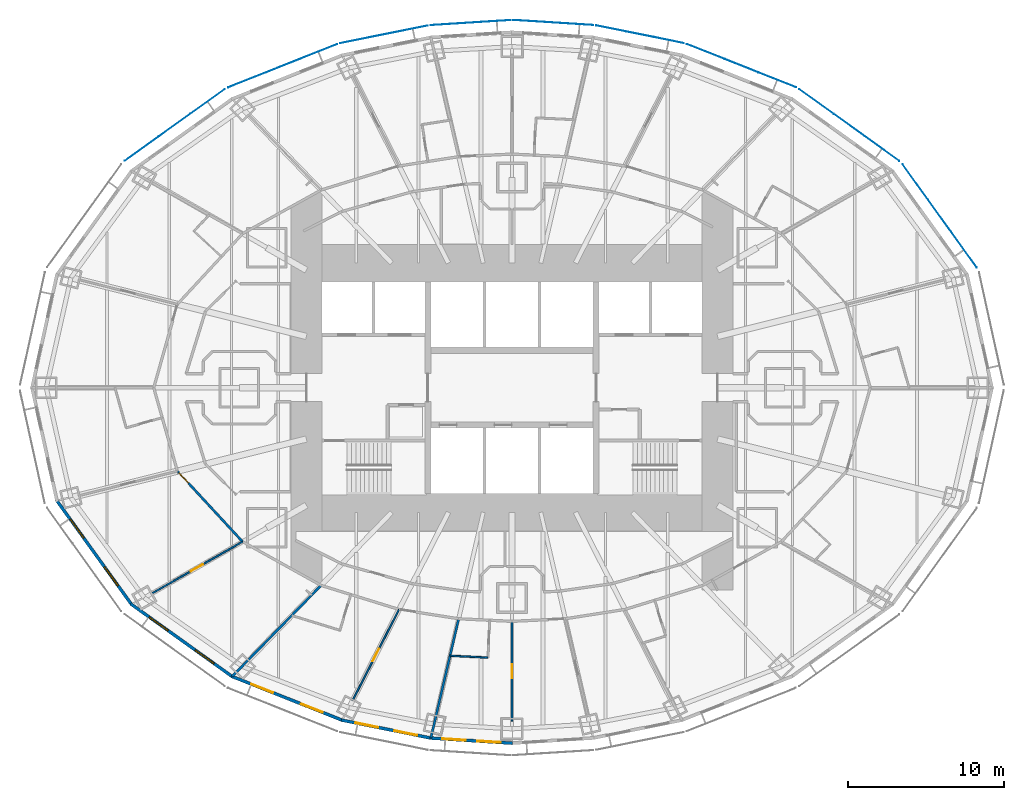
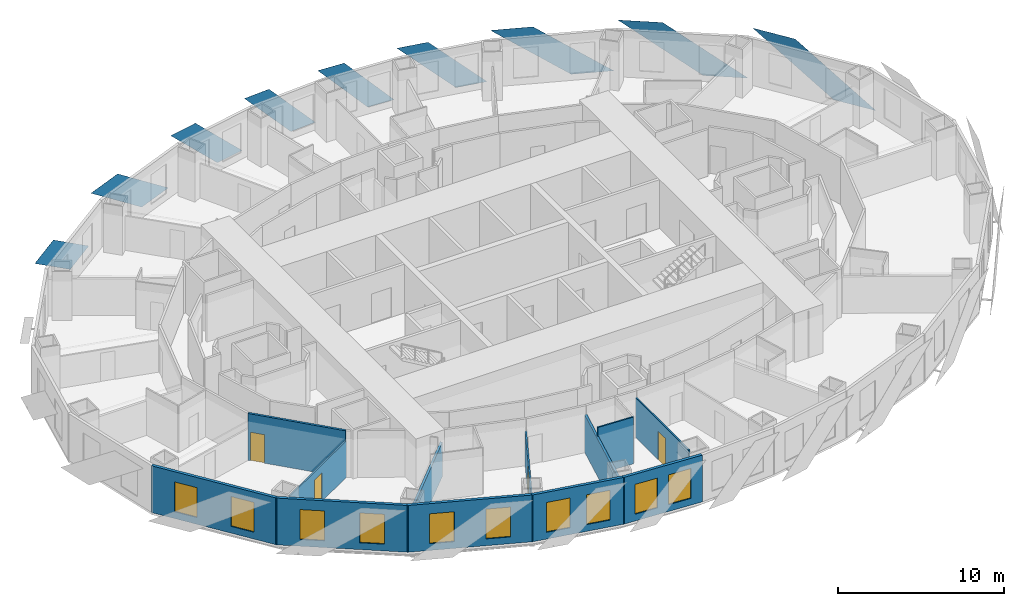
# One storey, part 4 of 15: 12 walls, 10 windows, 9 plates, 4 doors, 14 openings.
"""IFC4 building model written with IfcOpenShell, lengths in metres."""

from ifc_helpers import new_model, si_unit, direction, frame, frame_2d, origin, place, context, subcontext, project, spatial, polyline, rectangle, outline, extrude, material, layer, layer_set, type_object, element, fill, save


model = new_model("IFC4")

# Units and contexts
model_context = context("Model", 3, precision=1e-05, world=origin(), true_north=direction((0.0, 1.0)))
body_context = subcontext(model_context, "Body", "Model", "MODEL_VIEW")
ifc_project = project(units=[si_unit("LENGTHUNIT", "METRE"), si_unit("AREAUNIT", "SQUARE_METRE"), si_unit("VOLUMEUNIT", "CUBIC_METRE"), si_unit("PLANEANGLEUNIT", "RADIAN"), si_unit("MASSUNIT", "GRAM", prefix="KILO")], contexts=[model_context])

# Site, building, storey
site_placement = place(None, origin())
site = spatial("IfcSite", under=ifc_project, at=site_placement, CompositionType="ELEMENT")
building_placement = place(site_placement, origin())
building = spatial("IfcBuilding", under=site, at=building_placement, Name="Lantaw Convention Tower", CompositionType="ELEMENT")
storey_placement = place(building_placement, frame((0.0, 0.0, 94.60009765625)))
storey = spatial("IfcBuildingStorey", under=building, at=storey_placement, Name="L22", CompositionType="ELEMENT", Elevation=94.60009765625)

# Plates
ifc_material_1 = material(Name="Perforated aluminium sheet, pale silver finish", Category="aluminium")
ifc_layer_1 = layer(ifc_material_1, 0.006103515625)
ifc_layer_set_1 = layer_set([ifc_layer_1], Name="Perforated aluminium solar SCREEN panel")
plate_type = type_object("IfcPlateType", Name="Perforated aluminium solar SCREEN panel", PredefinedType="SHEET", material=ifc_layer_set_1)
plate_1_placement = place(storey_placement, frame((29.847900390625, 7.720947265625, -0.175048828125), z_axis=(0.811791382613, 0.583947558463, 9.019268e-06), x_axis=(-0.583947558486, 0.811791382646, 0.0)))
element("IfcPlate", 1, at=plate_1_placement, inside=storey, type_object=plate_type, Name="Solar SCREEN panel", PredefinedType="SHEET", context=body_context, shape_type="SweptSolid", body=[
    extrude(outline(polyline([(0.0, 0.0), (2.809541672291133, 0.0), (8.163093158837512, 3.739990234527119), (5.353551486546379, 3.739990234527119), (0.0, 0.0)])), origin(), (0.0, 0.0, -1.0), 0.006103515625),
])
plate_2_placement = place(storey_placement, frame((24.872314453125, 14.555908203125, -0.175048828125), z_axis=(0.582561421998, 0.812786681331, 1.5819417e-05), x_axis=(-0.812786681433, 0.582561422071, 0.0)))
element("IfcPlate", 2, at=plate_2_placement, inside=storey, type_object=plate_type, Name="Solar SCREEN panel", PredefinedType="SHEET", context=body_context, shape_type="SweptSolid", body=[
    extrude(outline(polyline([(0.0, 0.0), (2.721095180812288, 3.3881317890172014e-21), (7.903118572410756, 3.739990234842974), (5.182023391598468, 3.739990234842974), (0.0, 0.0)])), origin(), (0.0, 0.0, -1.0), 0.006103515625),
])
plate_3_placement = place(storey_placement, frame((18.232177734375, 19.278076171875, -0.175048828125), z_axis=(-0.369183532846, -0.929356508016, 9.163296e-06), x_axis=(-0.929356508055, 0.369183532862, 0.0)))
element("IfcPlate", 3, at=plate_3_placement, inside=storey, type_object=plate_type, Name="Solar SCREEN panel", PredefinedType="SHEET", context=body_context, shape_type="SweptSolid", body=[
    extrude(outline(polyline([(0.0, 0.0), (2.594936467166582, -1.6940658945086007e-21), (7.5321069917580825, -3.739990234532016), (4.937170524591499, -3.739990234532016), (0.0, 0.0)])), origin(), (0.0, 0.0, -1.0), 0.006103515625),
])
plate_4_placement = place(storey_placement, frame((11.03271484375, 22.117919921875, -0.175048828125), z_axis=(-0.197781876197, -0.980246055561, 2.418535e-06), x_axis=(-0.980246055563, 0.197781876198, 1.46e-10)))
element("IfcPlate", 4, at=plate_4_placement, inside=storey, type_object=plate_type, Name="Solar SCREEN panel", PredefinedType="SHEET", context=body_context, shape_type="SweptSolid", body=[
    extrude(outline(polyline([(0.0, 0.0), (1.9867801772236329, -3.1763735522036263e-22), (5.743587245978565, -3.7399902335493134), (3.7568553553458006, -3.739990234128105), (0.0, 0.0)])), origin(), (0.0, 0.0, -1.0), 0.006103515625),
])
plate_5_placement = place(storey_placement, frame((5.221923828125, 23.27783203125, -0.175048828125), z_axis=(-0.062923905251, -0.998018327468, 1.3605496e-05), x_axis=(-0.998018327561, 0.062923905257, 9.3e-10)))
element("IfcPlate", 5, at=plate_5_placement, inside=storey, type_object=plate_type, Name="Solar SCREEN panel", PredefinedType="SHEET", context=body_context, shape_type="SweptSolid", body=[
    extrude(outline(polyline([(0.0, 0.0), (1.7828375409377817, -2.117582368135751e-22), (5.143985963027618, -3.739990229938699), (3.3611637843713935, -3.7399902332537565), (0.0, 0.0)])), origin(), (0.0, 0.0, -1.0), 0.006103515625),
])
plate_6_placement = place(storey_placement, frame((-0.088134765625, 23.6015625, -0.175048828125), z_axis=(-0.062923905251, 0.998018327468, 1.3605496e-05), x_axis=(-0.998018327561, -0.062923905257, -9.3e-10)))
element("IfcPlate", 6, at=plate_6_placement, inside=storey, type_object=plate_type, Name="Solar SCREEN panel", PredefinedType="SHEET", context=body_context, shape_type="SweptSolid", body=[
    extrude(outline(polyline([(0.0, 0.0), (1.782822178656225, -2.117582368135751e-22), (5.143985956073316, 3.7399902395036517), (3.3611484151355353, 3.7399902361885653), (0.0, 0.0)])), origin(), (0.0, 0.0, -1.0), 0.006103515625),
])
plate_7_placement = place(storey_placement, frame((-5.402587890625, 23.25390625, -0.175048828125), z_axis=(-0.197781876197, 0.980246055561, 2.418535e-06), x_axis=(-0.980246055563, -0.197781876198, -1.46e-10)))
element("IfcPlate", 7, at=plate_7_placement, inside=storey, type_object=plate_type, Name="Solar SCREEN panel", PredefinedType="SHEET", context=body_context, shape_type="SweptSolid", body=[
    extrude(outline(polyline([(0.0, 0.0), (1.9867318906327642, 1.0587911840678754e-22), (5.743587244888999, 3.7399902352225842), (3.7568070676653664, 3.7399902346437783), (0.0, 0.0)])), origin(), (0.0, 0.0, -1.0), 0.006103515625),
])
plate_8_placement = place(storey_placement, frame((-11.232177734375, 22.058837890625, -0.175048828125), z_axis=(-0.369183532846, 0.929356508016, 9.163296e-06), x_axis=(-0.929356508055, -0.369183532862, 0.0)))
element("IfcPlate", 8, at=plate_8_placement, inside=storey, type_object=plate_type, Name="Solar SCREEN panel", PredefinedType="SHEET", context=body_context, shape_type="SweptSolid", body=[
    extrude(outline(polyline([(0.0, 0.0), (2.594936467166582, 1.6940658945086007e-21), (7.5321069917580825, 3.739990234532016), (4.937170524591499, 3.739990234532016), (0.0, 0.0)])), origin(), (0.0, 0.0, -1.0), 0.006103515625),
])
plate_9_placement = place(storey_placement, frame((-18.44873046875, 19.159912109375, -0.175048828125), z_axis=(0.582561421998, -0.812786681331, 1.5819417e-05), x_axis=(-0.812786681433, -0.582561422071, 0.0)))
element("IfcPlate", 9, at=plate_9_placement, inside=storey, type_object=plate_type, Name="Solar SCREEN panel", PredefinedType="SHEET", context=body_context, shape_type="SweptSolid", body=[
    extrude(outline(polyline([(0.0, 0.0), (2.721095180812288, -3.3881317890172014e-21), (7.903118572410756, -3.739990234842974), (5.182023391598468, -3.739990234842974), (0.0, 0.0)])), origin(), (0.0, 0.0, -1.0), 0.006103515625),
])

# Wall
ifc_material_2 = material(Name="Moisture resistant gypsum board on steel studs", Category="steel")
ifc_layer_2 = layer(ifc_material_2, 0.10009765625)
ifc_layer_set_2 = layer_set([ifc_layer_2], Name="Bathroom wall 100")
wall_type_1 = type_object("IfcWallType", Name="Bathroom wall 100", PredefinedType="PARTITIONING", material=ifc_layer_set_2)
wall_1_placement = place(storey_placement, frame((-1.5439453125, -17.327392578125, 0.0), z_axis=(0.0, 0.0, 1.0), x_axis=(-0.998813899717, 0.048690797202, 0.0)))
element("IfcWall", 10, at=wall_1_placement, inside=storey, type_object=wall_type_1, Name="Bathroom wall 100", PredefinedType="PARTITIONING", context=body_context, shape_type="SweptSolid", body=[
    extrude(rectangle(XDim=2.431884765625, YDim=0.10009765625, at=frame_2d((1.2158203125, 0.0))), origin(), (0.0, 0.0, 1.0), 3.449951171875),
])

# Wall, opening, door
ifc_material_3 = material(Name="Gypsum board on steel studs, fire rated", Category="steel")
ifc_layer_3 = layer(ifc_material_3, 0.14990234375)
ifc_layer_set_3 = layer_set([ifc_layer_3], Name="Corridor wall 150 EI 60")
wall_type_2 = type_object("IfcWallType", Name="Corridor wall 150 EI 60", PredefinedType="PARTITIONING", material=ifc_layer_set_3)
wall_2_placement = place(storey_placement, frame((-21.483642578125, -5.3564453125, 0.0), z_axis=(0.0, 0.0, 1.0), x_axis=(0.678641806296, -0.734469399463, 0.0)))
wall_2 = element("IfcWall", 11, at=wall_2_placement, inside=storey, type_object=wall_type_2, Name="Corridor wall 150", PredefinedType="PARTITIONING", context=body_context, shape_type="SweptSolid", body=[
    extrude(rectangle(XDim=6.166015625, YDim=0.14990234375, at=frame_2d((3.0830078125, 0.0))), origin(), (0.0, 0.0, 1.0), 3.449951171875),
])
opening_1_placement = place(wall_2_placement, frame((0.14990234375, 0.0, 0.0)))
opening_1 = element("IfcOpeningElement", 12, at=opening_1_placement, cuts=wall_2, Name="Opening L22.45", PredefinedType="OPENING", context=body_context, shape_type="SweptSolid", body=[
    extrude(rectangle(XDim=0.89990234375, YDim=2.10009765625, at=frame_2d((0.449951171875, 1.050048828125))), frame((0.0, 0.0849609375, 0.0), z_axis=(0.0, -1.0, 0.0), x_axis=(1.0, 0.0, 0.0)), (0.0, 0.0, 1.0), 0.169921875),
])
ifc_material_4 = material(Name="Steel, fire rated", Category="steel")
door_type_1 = type_object("IfcDoorType", Name="Guest room entrance door FD30S", OperationType="SINGLE_SWING_LEFT", PredefinedType="DOOR", material=ifc_material_4)
door_1_placement = place(opening_1_placement, origin())
door_1 = element("IfcDoor", 13, at=door_1_placement, inside=storey, type_object=door_type_1, Name="Suite entrance door", OperationType="SINGLE_SWING_LEFT", OverallHeight=2.10009765625, OverallWidth=0.89990234375, PredefinedType="DOOR", context=body_context, shape_type="SweptSolid", body=[
    extrude(rectangle(XDim=0.89990234375, YDim=2.10009765625, at=frame_2d((0.449951171875, 1.050048828125))), frame((0.0, 0.02490234375, 0.0), z_axis=(0.0, -1.0, 0.0), x_axis=(1.0, 0.0, 0.0)), (0.0, 0.0, 1.0), 0.050048828125),
])
fill(opening_1, door_1)

# Wall, openings, windows
ifc_material_5 = material(Name="Insulated aluminium panel on steel frame", Category="steel")
ifc_layer_4 = layer(ifc_material_5, 0.199951171875)
ifc_layer_set_4 = layer_set([ifc_layer_4], Name="External wall 200")
wall_type_3 = type_object("IfcWallType", Name="External wall 200", PredefinedType="SOLIDWALL", material=ifc_layer_set_4)
wall_3_placement = place(storey_placement, frame((-29.260498046875, -7.199951171875, 0.0), z_axis=(0.0, 0.0, 1.0), x_axis=(0.583937613703, -0.811798536155, 0.0)))
wall_3 = element("IfcWall", 14, at=wall_3_placement, inside=storey, type_object=wall_type_3, Name="Facade panel wall", PredefinedType="SOLIDWALL", context=body_context, shape_type="SweptSolid", body=[
    extrude(rectangle(XDim=8.322998046875, YDim=0.199951171875, at=frame_2d((4.16162109375, 0.0))), origin(), (0.0, 0.0, 1.0), 3.449951171875),
])
opening_2_placement = place(wall_3_placement, frame((1.53076171875, 0.0, 0.5)))
opening_2 = element("IfcOpeningElement", 15, at=opening_2_placement, cuts=wall_3, Name="Opening W2", PredefinedType="OPENING", context=body_context, shape_type="SweptSolid", body=[
    extrude(rectangle(XDim=1.5, YDim=2.199951171875, at=frame_2d((0.75, 1.10009765625))), frame((0.0, 0.10986328125, 0.0), z_axis=(0.0, -1.0, 0.0), x_axis=(1.0, 0.0, 0.0)), (0.0, 0.0, 1.0), 0.219970703125),
])
opening_3_placement = place(wall_3_placement, frame((5.292236328125, 0.0, 0.5)))
opening_3 = element("IfcOpeningElement", 16, at=opening_3_placement, cuts=wall_3, Name="Opening W2", PredefinedType="OPENING", context=body_context, shape_type="SweptSolid", body=[
    extrude(rectangle(XDim=1.5, YDim=2.199951171875, at=frame_2d((0.75, 1.10009765625))), frame((0.0, 0.10986328125, 0.0), z_axis=(0.0, -1.0, 0.0), x_axis=(1.0, 0.0, 0.0)), (0.0, 0.0, 1.0), 0.219970703125),
])
ifc_material_6 = material(Name="Aluminium frame, clear insulating glass", Category="aluminium")
window_type = type_object("IfcWindowType", Name="Suite window 1500x2200", PartitioningType="SINGLE_PANEL", PredefinedType="WINDOW", material=ifc_material_6)
window_1_placement = place(opening_2_placement, origin())
window_1 = element("IfcWindow", 17, at=window_1_placement, inside=storey, type_object=window_type, Name="Guest room window", OverallHeight=2.199951171875, OverallWidth=1.5, PartitioningType="SINGLE_PANEL", PredefinedType="WINDOW", context=body_context, shape_type="SweptSolid", body=[
    extrude(rectangle(XDim=1.5, YDim=2.199951171875, at=frame_2d((0.75, 1.10009765625))), frame((0.0, 0.030029296875, 0.0), z_axis=(0.0, -1.0, 0.0), x_axis=(1.0, 0.0, 0.0)), (0.0, 0.0, 1.0), 0.06005859375),
])
fill(opening_2, window_1)
window_2_placement = place(opening_3_placement, origin())
window_2 = element("IfcWindow", 18, at=window_2_placement, inside=storey, type_object=window_type, Name="Guest room window", OverallHeight=2.199951171875, OverallWidth=1.5, PartitioningType="SINGLE_PANEL", PredefinedType="WINDOW", context=body_context, shape_type="SweptSolid", body=[
    extrude(rectangle(XDim=1.5, YDim=2.199951171875, at=frame_2d((0.75, 1.10009765625))), frame((0.0, 0.030029296875, 0.0), z_axis=(0.0, -1.0, 0.0), x_axis=(1.0, 0.0, 0.0)), (0.0, 0.0, 1.0), 0.06005859375),
])
fill(opening_3, window_2)

wall_4_placement = place(storey_placement, frame((-24.482421875, -13.87451171875, 0.0), z_axis=(0.0, 0.0, 1.0), x_axis=(0.812791321576, -0.582554948112, 0.0)))
wall_4 = element("IfcWall", 19, at=wall_4_placement, inside=storey, type_object=wall_type_3, Name="Facade panel wall", PredefinedType="SOLIDWALL", context=body_context, shape_type="SweptSolid", body=[
    extrude(rectangle(XDim=8.063232421875, YDim=0.199951171875, at=frame_2d((4.03173828125, 0.0))), origin(), (0.0, 0.0, 1.0), 3.449951171875),
])
opening_4_placement = place(wall_4_placement, frame((1.4658203125, 0.0, 0.5)))
opening_4 = element("IfcOpeningElement", 20, at=opening_4_placement, cuts=wall_4, Name="Opening W2", PredefinedType="OPENING", context=body_context, shape_type="SweptSolid", body=[
    extrude(rectangle(XDim=1.5, YDim=2.199951171875, at=frame_2d((0.75, 1.10009765625))), frame((0.0, 0.10986328125, 0.0), z_axis=(0.0, -1.0, 0.0), x_axis=(1.0, 0.0, 0.0)), (0.0, 0.0, 1.0), 0.219970703125),
])
opening_5_placement = place(wall_4_placement, frame((5.097412109375, 0.0, 0.5)))
opening_5 = element("IfcOpeningElement", 21, at=opening_5_placement, cuts=wall_4, Name="Opening W2", PredefinedType="OPENING", context=body_context, shape_type="SweptSolid", body=[
    extrude(rectangle(XDim=1.5, YDim=2.199951171875, at=frame_2d((0.75, 1.10009765625))), frame((0.0, 0.10986328125, 0.0), z_axis=(0.0, -1.0, 0.0), x_axis=(1.0, 0.0, 0.0)), (0.0, 0.0, 1.0), 0.219970703125),
])
window_3_placement = place(opening_4_placement, origin())
window_3 = element("IfcWindow", 22, at=window_3_placement, inside=storey, type_object=window_type, Name="Guest room window", OverallHeight=2.199951171875, OverallWidth=1.5, PartitioningType="SINGLE_PANEL", PredefinedType="WINDOW", context=body_context, shape_type="SweptSolid", body=[
    extrude(rectangle(XDim=1.5, YDim=2.199951171875, at=frame_2d((0.75, 1.10009765625))), frame((0.0, 0.030029296875, 0.0), z_axis=(0.0, -1.0, 0.0), x_axis=(1.0, 0.0, 0.0)), (0.0, 0.0, 1.0), 0.06005859375),
])
fill(opening_4, window_3)
window_4_placement = place(opening_5_placement, origin())
window_4 = element("IfcWindow", 23, at=window_4_placement, inside=storey, type_object=window_type, Name="Guest room window", OverallHeight=2.199951171875, OverallWidth=1.5, PartitioningType="SINGLE_PANEL", PredefinedType="WINDOW", context=body_context, shape_type="SweptSolid", body=[
    extrude(rectangle(XDim=1.5, YDim=2.199951171875, at=frame_2d((0.75, 1.10009765625))), frame((0.0, 0.030029296875, 0.0), z_axis=(0.0, -1.0, 0.0), x_axis=(1.0, 0.0, 0.0)), (0.0, 0.0, 1.0), 0.06005859375),
])
fill(opening_5, window_4)

wall_5_placement = place(storey_placement, frame((-18.018310546875, -18.522705078125, 0.0), z_axis=(0.0, 0.0, 1.0), x_axis=(0.929358351251, -0.369178892895, 0.0)))
wall_5 = element("IfcWall", 24, at=wall_5_placement, inside=storey, type_object=wall_type_3, Name="Facade panel wall", PredefinedType="SOLIDWALL", context=body_context, shape_type="SweptSolid", body=[
    extrude(rectangle(XDim=7.6923828125, YDim=0.199951171875, at=frame_2d((3.84619140625, 0.0))), origin(), (0.0, 0.0, 1.0), 3.449951171875),
])
opening_6_placement = place(wall_5_placement, frame((1.373046875, 0.0, 0.5)))
opening_6 = element("IfcOpeningElement", 25, at=opening_6_placement, cuts=wall_5, Name="Opening W2", PredefinedType="OPENING", context=body_context, shape_type="SweptSolid", body=[
    extrude(rectangle(XDim=1.5, YDim=2.199951171875, at=frame_2d((0.75, 1.10009765625))), frame((0.0, 0.10986328125, 0.0), z_axis=(0.0, -1.0, 0.0), x_axis=(1.0, 0.0, 0.0)), (0.0, 0.0, 1.0), 0.219970703125),
])
opening_7_placement = place(wall_5_placement, frame((4.819091796875, 0.0, 0.5)))
opening_7 = element("IfcOpeningElement", 26, at=opening_7_placement, cuts=wall_5, Name="Opening W2", PredefinedType="OPENING", context=body_context, shape_type="SweptSolid", body=[
    extrude(rectangle(XDim=1.5, YDim=2.199951171875, at=frame_2d((0.75, 1.10009765625))), frame((0.0, 0.10986328125, 0.0), z_axis=(0.0, -1.0, 0.0), x_axis=(1.0, 0.0, 0.0)), (0.0, 0.0, 1.0), 0.219970703125),
])
window_5_placement = place(opening_6_placement, origin())
window_5 = element("IfcWindow", 27, at=window_5_placement, inside=storey, type_object=window_type, Name="Guest room window", OverallHeight=2.199951171875, OverallWidth=1.5, PartitioningType="SINGLE_PANEL", PredefinedType="WINDOW", context=body_context, shape_type="SweptSolid", body=[
    extrude(rectangle(XDim=1.5, YDim=2.199951171875, at=frame_2d((0.75, 1.10009765625))), frame((0.0, 0.030029296875, 0.0), z_axis=(0.0, -1.0, 0.0), x_axis=(1.0, 0.0, 0.0)), (0.0, 0.0, 1.0), 0.06005859375),
])
fill(opening_6, window_5)
window_6_placement = place(opening_7_placement, origin())
window_6 = element("IfcWindow", 28, at=window_6_placement, inside=storey, type_object=window_type, Name="Guest room window", OverallHeight=2.199951171875, OverallWidth=1.5, PartitioningType="SINGLE_PANEL", PredefinedType="WINDOW", context=body_context, shape_type="SweptSolid", body=[
    extrude(rectangle(XDim=1.5, YDim=2.199951171875, at=frame_2d((0.75, 1.10009765625))), frame((0.0, 0.030029296875, 0.0), z_axis=(0.0, -1.0, 0.0), x_axis=(1.0, 0.0, 0.0)), (0.0, 0.0, 1.0), 0.06005859375),
])
fill(opening_7, window_6)

wall_6_placement = place(storey_placement, frame((-10.956787109375, -21.336669921875, 0.0), z_axis=(0.0, 0.0, 1.0), x_axis=(0.980251657452, -0.197754110105, 0.0)))
wall_6 = element("IfcWall", 29, at=wall_6_placement, inside=storey, type_object=wall_type_3, Name="Facade panel wall", PredefinedType="SOLIDWALL", context=body_context, shape_type="SweptSolid", body=[
    extrude(rectangle(XDim=5.90380859375, YDim=0.199951171875, at=frame_2d((2.951904296875, 0.0))), origin(), (0.0, 0.0, 1.0), 3.449951171875),
])
opening_8_placement = place(wall_6_placement, frame((0.92578125, 0.0, 0.5)))
opening_8 = element("IfcOpeningElement", 30, at=opening_8_placement, cuts=wall_6, Name="Opening W2", PredefinedType="OPENING", context=body_context, shape_type="SweptSolid", body=[
    extrude(rectangle(XDim=1.5, YDim=2.199951171875, at=frame_2d((0.75, 1.10009765625))), frame((0.0, 0.10986328125, 0.0), z_axis=(0.0, -1.0, 0.0), x_axis=(1.0, 0.0, 0.0)), (0.0, 0.0, 1.0), 0.219970703125),
])
opening_9_placement = place(wall_6_placement, frame((3.477783203125, 0.0, 0.5)))
opening_9 = element("IfcOpeningElement", 31, at=opening_9_placement, cuts=wall_6, Name="Opening W2", PredefinedType="OPENING", context=body_context, shape_type="SweptSolid", body=[
    extrude(rectangle(XDim=1.5, YDim=2.199951171875, at=frame_2d((0.75, 1.10009765625))), frame((0.0, 0.10986328125, 0.0), z_axis=(0.0, -1.0, 0.0), x_axis=(1.0, 0.0, 0.0)), (0.0, 0.0, 1.0), 0.219970703125),
])
window_7_placement = place(opening_8_placement, origin())
window_7 = element("IfcWindow", 32, at=window_7_placement, inside=storey, type_object=window_type, Name="Guest room window", OverallHeight=2.199951171875, OverallWidth=1.5, PartitioningType="SINGLE_PANEL", PredefinedType="WINDOW", context=body_context, shape_type="SweptSolid", body=[
    extrude(rectangle(XDim=1.5, YDim=2.199951171875, at=frame_2d((0.75, 1.10009765625))), frame((0.0, 0.030029296875, 0.0), z_axis=(0.0, -1.0, 0.0), x_axis=(1.0, 0.0, 0.0)), (0.0, 0.0, 1.0), 0.06005859375),
])
fill(opening_8, window_7)
window_8_placement = place(opening_9_placement, origin())
window_8 = element("IfcWindow", 33, at=window_8_placement, inside=storey, type_object=window_type, Name="Guest room window", OverallHeight=2.199951171875, OverallWidth=1.5, PartitioningType="SINGLE_PANEL", PredefinedType="WINDOW", context=body_context, shape_type="SweptSolid", body=[
    extrude(rectangle(XDim=1.5, YDim=2.199951171875, at=frame_2d((0.75, 1.10009765625))), frame((0.0, 0.030029296875, 0.0), z_axis=(0.0, -1.0, 0.0), x_axis=(1.0, 0.0, 0.0)), (0.0, 0.0, 1.0), 0.06005859375),
])
fill(opening_9, window_8)

wall_7_placement = place(storey_placement, frame((-5.252685546875, -22.493408203125, 0.0), z_axis=(0.0, 0.0, 1.0), x_axis=(0.998018582375, -0.062919863585, 0.0)))
wall_7 = element("IfcWall", 34, at=wall_7_placement, inside=storey, type_object=wall_type_3, Name="Facade panel wall", PredefinedType="SOLIDWALL", context=body_context, shape_type="SweptSolid", body=[
    extrude(rectangle(XDim=5.30419921875, YDim=0.199951171875, at=frame_2d((2.652099609375, 0.0))), origin(), (0.0, 0.0, 1.0), 3.449951171875),
])
opening_10_placement = place(wall_7_placement, frame((0.77587890625, 0.0, 0.5)))
opening_10 = element("IfcOpeningElement", 35, at=opening_10_placement, cuts=wall_7, Name="Opening W2", PredefinedType="OPENING", context=body_context, shape_type="SweptSolid", body=[
    extrude(rectangle(XDim=1.5, YDim=2.199951171875, at=frame_2d((0.75, 1.10009765625))), frame((0.0, 0.10986328125, 0.0), z_axis=(0.0, -1.0, 0.0), x_axis=(1.0, 0.0, 0.0)), (0.0, 0.0, 1.0), 0.219970703125),
])
opening_11_placement = place(wall_7_placement, frame((3.028076171875, 0.0, 0.5)))
opening_11 = element("IfcOpeningElement", 36, at=opening_11_placement, cuts=wall_7, Name="Opening W2", PredefinedType="OPENING", context=body_context, shape_type="SweptSolid", body=[
    extrude(rectangle(XDim=1.5, YDim=2.199951171875, at=frame_2d((0.75, 1.10009765625))), frame((0.0, 0.10986328125, 0.0), z_axis=(0.0, -1.0, 0.0), x_axis=(1.0, 0.0, 0.0)), (0.0, 0.0, 1.0), 0.219970703125),
])
window_9_placement = place(opening_10_placement, origin())
window_9 = element("IfcWindow", 37, at=window_9_placement, inside=storey, type_object=window_type, Name="Guest room window", OverallHeight=2.199951171875, OverallWidth=1.5, PartitioningType="SINGLE_PANEL", PredefinedType="WINDOW", context=body_context, shape_type="SweptSolid", body=[
    extrude(rectangle(XDim=1.5, YDim=2.199951171875, at=frame_2d((0.75, 1.10009765625))), frame((0.0, 0.030029296875, 0.0), z_axis=(0.0, -1.0, 0.0), x_axis=(1.0, 0.0, 0.0)), (0.0, 0.0, 1.0), 0.06005859375),
])
fill(opening_10, window_9)
window_10_placement = place(opening_11_placement, origin())
window_10 = element("IfcWindow", 38, at=window_10_placement, inside=storey, type_object=window_type, Name="Guest room window", OverallHeight=2.199951171875, OverallWidth=1.5, PartitioningType="SINGLE_PANEL", PredefinedType="WINDOW", context=body_context, shape_type="SweptSolid", body=[
    extrude(rectangle(XDim=1.5, YDim=2.199951171875, at=frame_2d((0.75, 1.10009765625))), frame((0.0, 0.030029296875, 0.0), z_axis=(0.0, -1.0, 0.0), x_axis=(1.0, 0.0, 0.0)), (0.0, 0.0, 1.0), 0.06005859375),
])
fill(opening_11, window_10)

# Walls
ifc_material_7 = material(Name="Gypsum board on steel studs, acoustic", Category="steel")
ifc_layer_5 = layer(ifc_material_7, 0.14990234375)
ifc_layer_set_5 = layer_set([ifc_layer_5], Name="Guest room party wall 150")
wall_type_4 = type_object("IfcWallType", Name="Guest room party wall 150", PredefinedType="PARTITIONING", material=ifc_layer_set_5)
wall_8_placement = place(storey_placement, frame((-17.970458984375, -18.541748046875, 0.0), z_axis=(0.0, 0.0, 1.0), x_axis=(0.698757291878, 0.715358823981, 0.0)))
element("IfcWall", 39, at=wall_8_placement, inside=storey, type_object=wall_type_4, Name="Guest room party wall 150", PredefinedType="PARTITIONING", context=body_context, shape_type="SweptSolid", body=[
    extrude(rectangle(XDim=8.176513671875, YDim=0.14990234375, at=frame_2d((4.08837890625, 0.0))), origin(), (0.0, 0.0, 1.0), 2.52783203125),
])
wall_9_placement = place(storey_placement, frame((-5.2109375, -22.495849609375, 0.0), z_axis=(0.0, 0.0, 1.0), x_axis=(0.227056984461, 0.973881474209, 0.0)))
element("IfcWall", 40, at=wall_9_placement, inside=storey, type_object=wall_type_4, Name="Guest room party wall 150", PredefinedType="PARTITIONING", context=body_context, shape_type="SweptSolid", body=[
    extrude(rectangle(XDim=7.86865234375, YDim=0.14990234375, at=frame_2d((3.934326171875, 0.0))), origin(), (0.0, 0.0, 1.0), 2.7666015625),
])

# Wall, opening, door
ifc_material_8 = material(Name="Gypsum board on steel studs", Category="steel")
ifc_layer_6 = layer(ifc_material_8, 0.10009765625)
ifc_layer_set_6 = layer_set([ifc_layer_6], Name="Suite partition 100")
wall_type_5 = type_object("IfcWallType", Name="Suite partition 100", PredefinedType="PARTITIONING", material=ifc_layer_set_6)
wall_10_placement = place(storey_placement, frame((-23.1708984375, -13.240478515625, 0.0), z_axis=(0.0, 0.0, 1.0), x_axis=(0.868249806728, 0.496127275118, 0.0)))
wall_10 = element("IfcWall", 41, at=wall_10_placement, inside=storey, type_object=wall_type_5, Name="Suite partition 100", PredefinedType="PARTITIONING", context=body_context, shape_type="SweptSolid", body=[
    extrude(rectangle(XDim=6.762939453125, YDim=0.10009765625, at=frame_2d((3.38134765625, 0.0))), origin(), (0.0, 0.0, 1.0), 2.69287109375),
])
opening_12_placement = place(wall_10_placement, frame((2.931396484375, 0.0, 0.0)))
opening_12 = element("IfcOpeningElement", 42, at=opening_12_placement, cuts=wall_10, Name="Opening L22.44", PredefinedType="OPENING", context=body_context, shape_type="SweptSolid", body=[
    extrude(rectangle(XDim=0.89990234375, YDim=2.10009765625, at=frame_2d((0.449951171875, 1.050048828125))), frame((0.0, 0.06005859375, 0.0), z_axis=(0.0, -1.0, 0.0), x_axis=(1.0, 0.0, 0.0)), (0.0, 0.0, 1.0), 0.1201171875),
])
ifc_material_9 = material(Name="Timber", Category="wood")
door_type_2 = type_object("IfcDoorType", Name="Suite door 900", OperationType="SINGLE_SWING_LEFT", PredefinedType="DOOR", material=ifc_material_9)
door_2_placement = place(opening_12_placement, origin())
door_2 = element("IfcDoor", 43, at=door_2_placement, inside=storey, type_object=door_type_2, Name="Kitchenette door", OperationType="SINGLE_SWING_LEFT", OverallHeight=2.10009765625, OverallWidth=0.89990234375, PredefinedType="DOOR", context=body_context, shape_type="SweptSolid", body=[
    extrude(rectangle(XDim=0.89990234375, YDim=2.10009765625, at=frame_2d((0.449951171875, 1.050048828125))), frame((0.0, 0.02490234375, 0.0), z_axis=(0.0, -1.0, 0.0), x_axis=(1.0, 0.0, 0.0)), (0.0, 0.0, 1.0), 0.050048828125),
])
fill(opening_12, door_2)

wall_11_placement = place(storey_placement, frame((-10.235595703125, -20.08837890625, 0.0), z_axis=(0.0, 0.0, 1.0), x_axis=(0.453993694696, 0.89100489627, 0.0)))
wall_11 = element("IfcWall", 44, at=wall_11_placement, inside=storey, type_object=wall_type_5, Name="Suite partition 100", PredefinedType="PARTITIONING", context=body_context, shape_type="SweptSolid", body=[
    extrude(rectangle(XDim=6.56982421875, YDim=0.10009765625, at=frame_2d((3.284912109375, 0.0))), origin(), (0.0, 0.0, 1.0), 2.52783203125),
])
opening_13_placement = place(wall_11_placement, frame((2.8349609375, 0.0, 0.0)))
opening_13 = element("IfcOpeningElement", 45, at=opening_13_placement, cuts=wall_11, Name="Opening L22.47", PredefinedType="OPENING", context=body_context, shape_type="SweptSolid", body=[
    extrude(rectangle(XDim=0.89990234375, YDim=2.10009765625, at=frame_2d((0.449951171875, 1.050048828125))), frame((0.0, 0.06005859375, 0.0), z_axis=(0.0, -1.0, 0.0), x_axis=(1.0, 0.0, 0.0)), (0.0, 0.0, 1.0), 0.1201171875),
])
door_3_placement = place(opening_13_placement, origin())
door_3 = element("IfcDoor", 46, at=door_3_placement, inside=storey, type_object=door_type_2, Name="Bedroom door", OperationType="SINGLE_SWING_LEFT", OverallHeight=2.10009765625, OverallWidth=0.89990234375, PredefinedType="DOOR", context=body_context, shape_type="SweptSolid", body=[
    extrude(rectangle(XDim=0.89990234375, YDim=2.10009765625, at=frame_2d((0.449951171875, 1.050048828125))), frame((0.0, 0.02490234375, 0.0), z_axis=(0.0, -1.0, 0.0), x_axis=(1.0, 0.0, 0.0)), (0.0, 0.0, 1.0), 0.050048828125),
])
fill(opening_13, door_3)

wall_12_placement = place(storey_placement, frame((0.0, -21.39990234375, 0.0), z_axis=(0.0, 0.0, 1.0), x_axis=(0.0, 1.0, 0.0)))
wall_12 = element("IfcWall", 47, at=wall_12_placement, inside=storey, type_object=wall_type_5, Name="Suite partition 100", PredefinedType="PARTITIONING", context=body_context, shape_type="SweptSolid", body=[
    extrude(rectangle(XDim=6.39990234375, YDim=0.10009765625, at=frame_2d((3.199951171875, 0.0))), origin(), (0.0, 0.0, 1.0), 2.924072265625),
])
opening_14_placement = place(wall_12_placement, frame((2.75, 0.0, 0.0)))
opening_14 = element("IfcOpeningElement", 48, at=opening_14_placement, cuts=wall_12, Name="Opening L22.50", PredefinedType="OPENING", context=body_context, shape_type="SweptSolid", body=[
    extrude(rectangle(XDim=0.89990234375, YDim=2.10009765625, at=frame_2d((0.449951171875, 1.050048828125))), frame((0.0, 0.06005859375, 0.0), z_axis=(0.0, -1.0, 0.0), x_axis=(1.0, 0.0, 0.0)), (0.0, 0.0, 1.0), 0.1201171875),
])
door_4_placement = place(opening_14_placement, origin())
door_4 = element("IfcDoor", 49, at=door_4_placement, inside=storey, type_object=door_type_2, Name="Bedroom door", OperationType="SINGLE_SWING_LEFT", OverallHeight=2.10009765625, OverallWidth=0.89990234375, PredefinedType="DOOR", context=body_context, shape_type="SweptSolid", body=[
    extrude(rectangle(XDim=0.89990234375, YDim=2.10009765625, at=frame_2d((0.449951171875, 1.050048828125))), frame((0.0, 0.02490234375, 0.0), z_axis=(0.0, -1.0, 0.0), x_axis=(1.0, 0.0, 0.0)), (0.0, 0.0, 1.0), 0.050048828125),
])
fill(opening_14, door_4)

save(model, "model.ifc")
